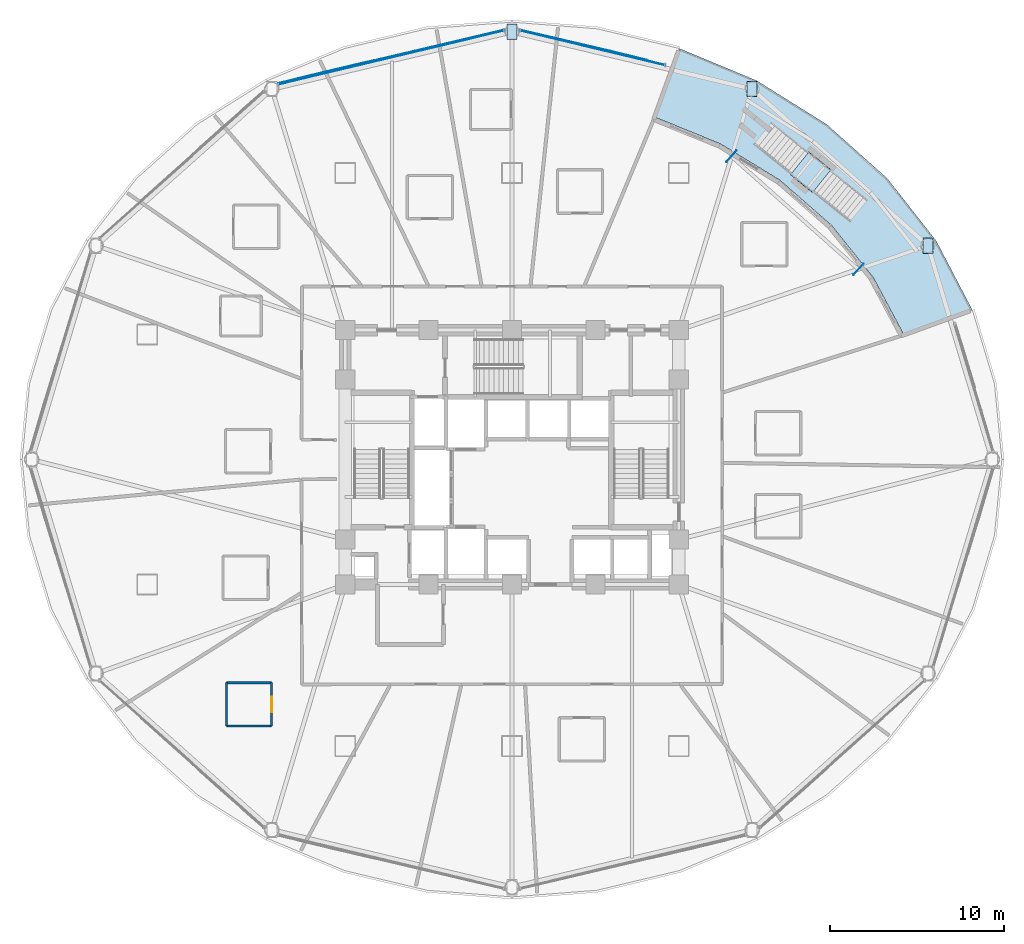
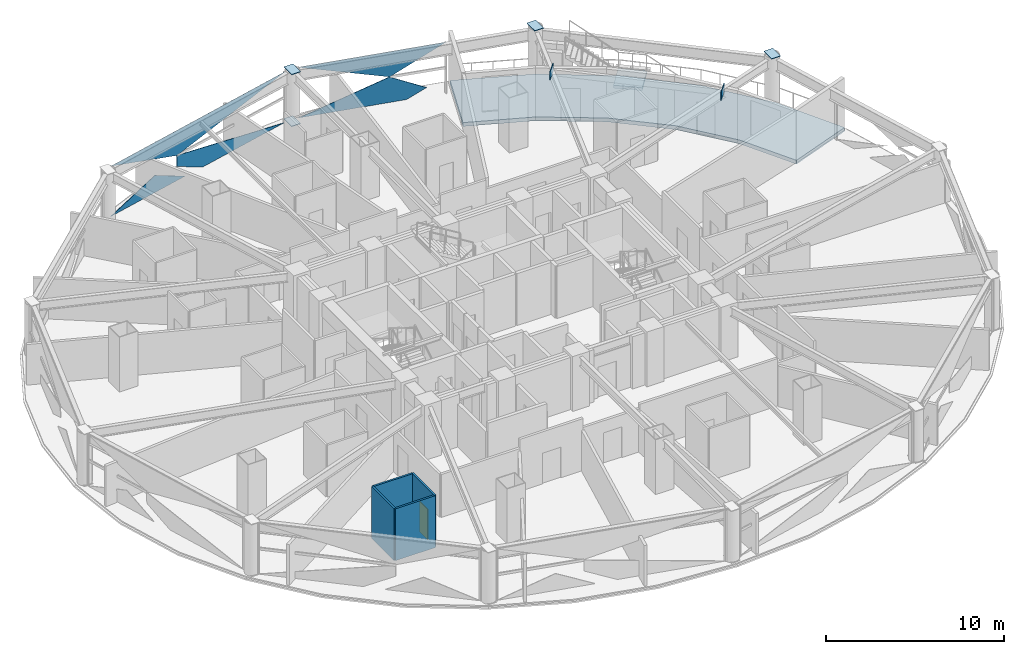
# One storey, part 23 of 33: 11 plates, 4 walls, 2 slabs, 1 door, 1 opening, 3 elements without a shape of their own.
"""IFC4 building model written with IfcOpenShell, lengths in metres."""

from ifc_helpers import new_model, si_unit, direction, frame, frame_2d, origin, origin_2d, place, context, subcontext, project, spatial, polyline, rectangle, outline, extrude, material, layer, layer_set, type_object, element, fill, aggregate, save


model = new_model("IFC4")

# Units and contexts
model_context = context("Model", 3, precision=1e-05, world=origin(), true_north=direction((0.0, 1.0)))
body_context = subcontext(model_context, "Body", "Model", "MODEL_VIEW")
ifc_project = project(units=[si_unit("LENGTHUNIT", "METRE"), si_unit("AREAUNIT", "SQUARE_METRE"), si_unit("VOLUMEUNIT", "CUBIC_METRE"), si_unit("PLANEANGLEUNIT", "RADIAN"), si_unit("MASSUNIT", "GRAM", prefix="KILO")], contexts=[model_context])

# Site, building, storey
site_placement = place(None, origin())
site = spatial("IfcSite", under=ifc_project, at=site_placement, CompositionType="ELEMENT")
building_placement = place(site_placement, origin())
building = spatial("IfcBuilding", under=site, at=building_placement, Name="Vantalir Tower", CompositionType="ELEMENT")
storey_placement = place(building_placement, frame((0.0, 0.0, 68.25)))
storey = spatial("IfcBuildingStorey", under=building, at=storey_placement, Name="L16", CompositionType="ELEMENT", Elevation=68.25)

# Curtain wall, plates
ifc_material_1 = material(Name="Champagne-silver PVDF aluminium and double-silver Low-E glass", Category="aluminium")
ifc_layer_1 = layer(ifc_material_1, 0.18994140625)
ifc_layer_set_1 = layer_set([ifc_layer_1], Name="Champagne-silver PVDF aluminium and double-silver Low-E glass")
curtain_wall_type = type_object("IfcCurtainWallType", Name="CW-DIAMOND-Z1", PredefinedType="USERDEFINED", material=ifc_layer_set_1)
curtain_wall_1_placement = place(storey_placement, origin())
curtain_wall_1 = element("IfcCurtainWall", 1, at=curtain_wall_1_placement, inside=storey, type_object=curtain_wall_type, Name="L16 Quilted Pyramid-Diamond Curtain Wall S03", ObjectType="UNITISED CURTAIN WALL", PredefinedType="USERDEFINED")
ifc_material_2 = material(Name="Double-silver Low-E laminated glass IGU", Category="glass")
ifc_layer_2 = layer(ifc_material_2, 0.028076171875)
ifc_layer_set_2 = layer_set([ifc_layer_2], Name="Double-silver Low-E laminated glass IGU")
plate_type_1 = type_object("IfcPlateType", Name="CWP-IGU-28", PredefinedType="CURTAIN_PANEL", material=ifc_layer_set_2)
plate_1_placement = place(storey_placement, frame((38.10888671875, 48.240478515625, 0.047119140625), z_axis=(-0.232307752742, -0.972544766269, 0.013776270119), x_axis=(-0.972637191013, 0.232329277401, -3.9001134e-05)))
plate_1 = element("IfcPlate", 2, at=plate_1_placement, type_object=plate_type_1, Name="CW-L16-S03 Pyramid Diamond Facet 1L", PredefinedType="CURTAIN_PANEL", context=body_context, shape_type="SweptSolid", body=[
    extrude(outline(polyline([(0.0, 0.0), (6.309828791063508, 1.3552527156068805e-18), (0.9996054976955323, -1.7253003696773925), (-1.1605627841639419, -0.5822834350845466), (0.0, 0.0)])), origin(), (0.0, 0.0, -1.0), 0.028076171875),
])
plate_2_placement = place(storey_placement, frame((31.9716796875, 49.706298828125, 3.523193359375), z_axis=(0.232293501283, 0.97254764114, 0.013813579368), x_axis=(0.972640624003, -0.232314901144, -5.6967852e-05)))
plate_2 = element("IfcPlate", 3, at=plate_2_placement, type_object=plate_type_1, Name="CW-L16-S03 Pyramid Diamond Facet 2U", PredefinedType="CURTAIN_PANEL", context=body_context, shape_type="SweptSolid", body=[
    extrude(outline(polyline([(0.0, 0.0), (8.571171834838777, 1.0842021724855044e-19), (5.310254640337066, 1.7252038910946574), (0.0, 0.0)])), origin(), (0.0, 0.0, -1.0), 0.028076171875),
])
aggregate(curtain_wall_1, [plate_1, plate_2])

curtain_wall_2_placement = place(storey_placement, origin())
curtain_wall_2 = element("IfcCurtainWall", 4, at=curtain_wall_2_placement, inside=storey, type_object=curtain_wall_type, Name="L16 Quilted Pyramid-Diamond Curtain Wall S04", ObjectType="UNITISED CURTAIN WALL", PredefinedType="USERDEFINED")
plate_3_placement = place(storey_placement, frame((31.0283203125, 49.706298828125, 0.046142578125), z_axis=(0.232286835251, -0.972551419438, 0.013658796357), x_axis=(-0.972642274081, -0.232307996417, 3.8364666e-05)))
plate_3 = element("IfcPlate", 5, at=plate_3_placement, type_object=plate_type_1, Name="CW-L16-S04 Pyramid Diamond Facet 1L", PredefinedType="CURTAIN_PANEL", context=body_context, shape_type="SweptSolid", body=[
    extrude(outline(polyline([(0.0, 0.0), (6.308109846381332, 1.4907779871675686e-18), (8.268283719, -0.9834171076666661), (8.26818078836347, -1.7276250290315844), (0.0, 0.0)])), origin(), (0.0, 0.0, -1.0), 0.028076171875),
])
plate_4_placement = place(storey_placement, frame((23.606689453125, 47.966552734375, 0.0458984375), z_axis=(0.232335382522, -0.972538922538, 0.013722761297), x_axis=(-0.972630506907, -0.232357261635, 0.0)))
plate_4 = element("IfcPlate", 6, at=plate_4_placement, type_object=plate_type_1, Name="CW-L16-S04 Pyramid Diamond Facet 1L Infill Light", PredefinedType="CURTAIN_PANEL", context=body_context, shape_type="SweptSolid", body=[
    extrude(outline(polyline([(0.0, 0.0), (5.719026866318455, -3.469446951953614e-18), (2.3120206359459794, -1.1602655023656243), (0.0, 0.0)])), origin(), (0.0, 0.0, -1.0), 0.028076171875),
])
plate_5_placement = place(storey_placement, frame((18.0517578125, 46.606689453125, 3.523681640625), z_axis=(-0.232304694327, 0.972547189106, 0.013656278975), x_axis=(0.972637888879, 0.232326359068, 0.0)))
plate_5 = element("IfcPlate", 7, at=plate_5_placement, type_object=plate_type_1, Name="CW-L16-S04 Pyramid Diamond Facet 2U", PredefinedType="CURTAIN_PANEL", context=body_context, shape_type="SweptSolid", body=[
    extrude(outline(polyline([(0.0, 0.0), (13.34161731552791, 6.938893903907228e-18), (5.073503250925667, 1.7279443362249733), (0.0, 0.0)])), origin(), (0.0, 0.0, -1.0), 0.028076171875),
])
aggregate(curtain_wall_2, [plate_3, plate_4, plate_5])

# Plates
ifc_material_3 = material(Name="Steel S460", Category="steel")
ifc_layer_3 = layer(ifc_material_3, 0.035888671875)
ifc_layer_set_3 = layer_set([ifc_layer_3], Name="Steel S460")
plate_type_2 = type_object("IfcPlateType", Name="PLT-KN-Z2", PredefinedType="USERDEFINED", material=ifc_layer_set_3)
plate_6_placement = place(storey_placement, frame((55.156005859375, 37.75390625, 3.751953125), z_axis=(0.0, 0.0, 1.0), x_axis=(0.0, -1.0, 0.0)))
element("IfcPlate", 8, at=plate_6_placement, inside=storey, type_object=plate_type_2, Name="L16 Ring Column Top Cap RC02", ObjectType="FLANGE_PLATE", PredefinedType="USERDEFINED", context=body_context, shape_type="SweptSolid", body=[
    extrude(outline(polyline([(0.0, 0.0), (0.8798828125, 0.0), (0.8798828125, 0.580078125), (0.0, 0.580078125), (0.0, 0.0)])), origin(), (0.0, 0.0, -1.0), 0.035888671875),
])
for number, where, z_axis, x_axis, name in (
    (9, (45.034912109375, 46.76904296875, 3.751953125), (0.0, 0.0, 1.0), (0.0, -1.0, 0.0), "L16 Ring Column Top Cap RC03"),
    (10, (31.2099609375, 50.069091796875, 3.597900390625), (0.0, 0.0, 1.0), (0.0, -1.0, 0.0), "L16 Ring Column Top Cap RC04"),
    (11, (31.2099609375, 50.069091796875, 0.052978515625), (0.0, 0.0, 1.0), (0.0, -1.0, 0.0), "L16 Ring Column Base Cap RC04"),
):
    element("IfcPlate", number, at=place(storey_placement, frame(where, z_axis=z_axis, x_axis=x_axis)), inside=storey, type_object=plate_type_2, Name=name, ObjectType="FLANGE_PLATE", PredefinedType="USERDEFINED", context=body_context, shape_type="SweptSolid", body=[
        extrude(outline(polyline([(0.0, 0.0), (0.880126953125, 0.0), (0.880126953125, 0.580078125), (0.0, 0.580078125), (0.0, 0.0)])), origin(), (0.0, 0.0, -1.0), 0.035888671875),
    ])
for number, where, z_axis, x_axis, name in (
    (12, (51.43994140625, 35.94189453125, 3.080078125), (0.0, 0.0, 1.0), (-0.746731058687, 0.665126097813, 0.0), "L16 Lintel Cap 1A"),
    (13, (44.131103515625, 42.452880859375, 3.080078125), (0.0, 0.0, 1.0), (-0.746731058687, 0.665126097813, 0.0), "L16 Lintel Cap 1B"),
):
    element("IfcPlate", number, at=place(storey_placement, frame(where, z_axis=z_axis, x_axis=x_axis)), inside=storey, type_object=plate_type_2, Name=name, ObjectType="FLANGE_PLATE", PredefinedType="USERDEFINED", context=body_context, shape_type="SweptSolid", body=[
        extrude(rectangle(XDim=0.035888671875, YDim=0.8798828125, at=origin_2d()), origin(), (0.0, 0.0, 1.0), 0.580078125),
    ])

# Stair, slab
ifc_material_4 = material(Name="Steel S355", Category="steel")
stair_type = type_object("IfcStairType", Name="STR-SKYGARDEN-1550", PredefinedType="STRAIGHT_RUN_STAIR", material=ifc_material_4)
stair_placement = place(storey_placement, origin())
stair = element("IfcStair", 14, at=stair_placement, inside=storey, type_object=stair_type, Name="Sky Garden Feature Stair SG1", PredefinedType="STRAIGHT_RUN_STAIR")
ifc_material_5 = material(Name="Concrete C40/50", Category="concrete")
ifc_layer_4 = layer(ifc_material_5, 0.199951171875)
ifc_layer_set_4 = layer_set([ifc_layer_4], Name="Concrete C40/50")
slab_type_1 = type_object("IfcSlabType", Name="SL-LAND-200", PredefinedType="LANDING", material=ifc_layer_set_4)
slab_1_placement = place(storey_placement, frame((0.0, 0.0, 1.675048828125)))
slab_1 = element("IfcSlab", 15, at=slab_1_placement, type_object=slab_type_1, Name="ST-SG1 landing 1", PredefinedType="LANDING", context=body_context, shape_type="SweptSolid", body=[
    extrude(outline(polyline([(49.85595703125, 41.6708984375), (48.580078125, 42.700927734375), (47.531005859375, 41.402099609375), (48.806884765625, 40.3720703125), (49.85595703125, 41.6708984375)])), origin(), (0.0, 0.0, 1.0), 0.199951171875),
])
aggregate(stair, [slab_1])

# Slab
ifc_material_6 = material(Name="Concrete C40/50 planted sky-garden PLANTER deck", Category="concrete")
ifc_layer_5 = layer(ifc_material_6, 0.260009765625)
ifc_layer_set_5 = layer_set([ifc_layer_5], Name="Concrete C40/50 planted sky-garden PLANTER deck")
slab_type_2 = type_object("IfcSlabType", Name="SL-SKYGARDEN-PLANTER-260", PredefinedType="ROOF", material=ifc_layer_set_5)
slab_2_placement = place(storey_placement, frame((0.0, 0.0, -0.219970703125)))
element("IfcSlab", 16, at=slab_2_placement, inside=storey, type_object=slab_type_2, Name="L16 Spiralling Sky Garden PLANTER Deck SG1", PredefinedType="ROOF", context=body_context, shape_type="SweptSolid", body=[
    extrude(outline(polyline([(41.14990234375, 48.658935546875), (39.714111328125, 44.717041015625), (43.501953125, 43.172119140625), (46.929931640625, 41.074951171875), (49.888916015625, 38.488037109375), (52.2890625, 35.491943359375), (54.054931640625, 32.180908203125), (57.9970703125, 33.615966796875), (55.922119140625, 37.589111328125), (53.10205078125, 41.18505859375), (49.626953125, 44.2880859375), (45.60009765625, 46.805908203125), (41.14990234375, 48.658935546875)])), origin(), (0.0, 0.0, 1.0), 0.260009765625),
])

# Walls
ifc_material_7 = material(Name="Moisture-resistant en-suite partition", Category="gypsum")
ifc_layer_6 = layer(ifc_material_7, 0.125)
ifc_layer_set_6 = layer_set([ifc_layer_6], Name="Moisture-resistant en-suite partition")
wall_type = type_object("IfcWallType", Name="WL-BATH-125", PredefinedType="PARTITIONING", material=ifc_layer_set_6)
for number, where, z_axis, x_axis, name in (
    (17, (15.06201171875, 9.653076171875, 0.0), (0.0, 0.0, 1.0), (1.0, 0.0, 0.0), "L16 En-suite 10 South Wall"),
    (18, (15.06201171875, 12.153076171875, 0.0), (0.0, 0.0, 1.0), (1.0, 0.0, 0.0), "L16 En-suite 10 North Wall"),
):
    element("IfcWall", number, at=place(storey_placement, frame(where, z_axis=z_axis, x_axis=x_axis)), inside=storey, type_object=wall_type, Name=name, PredefinedType="PARTITIONING", context=body_context, shape_type="SweptSolid", body=[
        extrude(rectangle(XDim=2.60009765625, YDim=0.125, at=frame_2d((1.300048828125, 0.0))), origin(), (0.0, 0.0, 1.0), 3.550048828125),
    ])
wall_1_placement = place(storey_placement, frame((15.06201171875, 9.653076171875, 0.0), z_axis=(0.0, 0.0, 1.0), x_axis=(0.0, 1.0, 0.0)))
element("IfcWall", 19, at=wall_1_placement, inside=storey, type_object=wall_type, Name="L16 En-suite 10 West Wall", PredefinedType="PARTITIONING", context=body_context, shape_type="SweptSolid", body=[
    extrude(rectangle(XDim=2.5, YDim=0.125, at=frame_2d((1.25, 0.0))), origin(), (0.0, 0.0, 1.0), 3.550048828125),
])

# Wall, opening, door
wall_2_placement = place(storey_placement, frame((17.662109375, 9.653076171875, 0.0), z_axis=(0.0, 0.0, 1.0), x_axis=(0.0, 1.0, 0.0)))
wall_2 = element("IfcWall", 20, at=wall_2_placement, inside=storey, type_object=wall_type, Name="L16 En-suite 10 East Wall", PredefinedType="PARTITIONING", context=body_context, shape_type="SweptSolid", body=[
    extrude(rectangle(XDim=2.5, YDim=0.125, at=frame_2d((1.25, 0.0))), origin(), (0.0, 0.0, 1.0), 3.550048828125),
])
opening_placement = place(wall_2_placement, frame((0.800048828125, 0.0, 0.0)))
opening = element("IfcOpeningElement", 21, at=opening_placement, cuts=wall_2, Name="Opening D-WC", PredefinedType="OPENING", context=body_context, shape_type="SweptSolid", body=[
    extrude(rectangle(XDim=0.89990234375, YDim=2.10009765625, at=frame_2d((0.449951171875, 1.050048828125))), frame((0.0, 0.072509765625, 0.0), z_axis=(0.0, -1.0, 0.0), x_axis=(1.0, 0.0, 0.0)), (0.0, 0.0, 1.0), 0.14501953125),
])
ifc_material_8 = material(Name="Moisture-resistant hardwood door", Category="wood")
door_type = type_object("IfcDoorType", Name="DR-ENSUITE-900", OperationType="NOTDEFINED", PredefinedType="DOOR", material=ifc_material_8)
door_placement = place(opening_placement, origin())
door = element("IfcDoor", 22, at=door_placement, inside=storey, type_object=door_type, Name="L16 En-suite 10 Door", OperationType="SINGLE_SWING_LEFT", OverallHeight=2.10009765625, OverallWidth=0.89990234375, PredefinedType="DOOR", context=body_context, shape_type="SweptSolid", body=[
    extrude(rectangle(XDim=0.89990234375, YDim=2.10009765625, at=frame_2d((0.449951171875, 1.050048828125))), frame((0.0, 0.02490234375, 0.0), z_axis=(0.0, -1.0, 0.0), x_axis=(1.0, 0.0, 0.0)), (0.0, 0.0, 1.0), 0.050048828125),
])
fill(opening, door)

save(model, "model.ifc")
